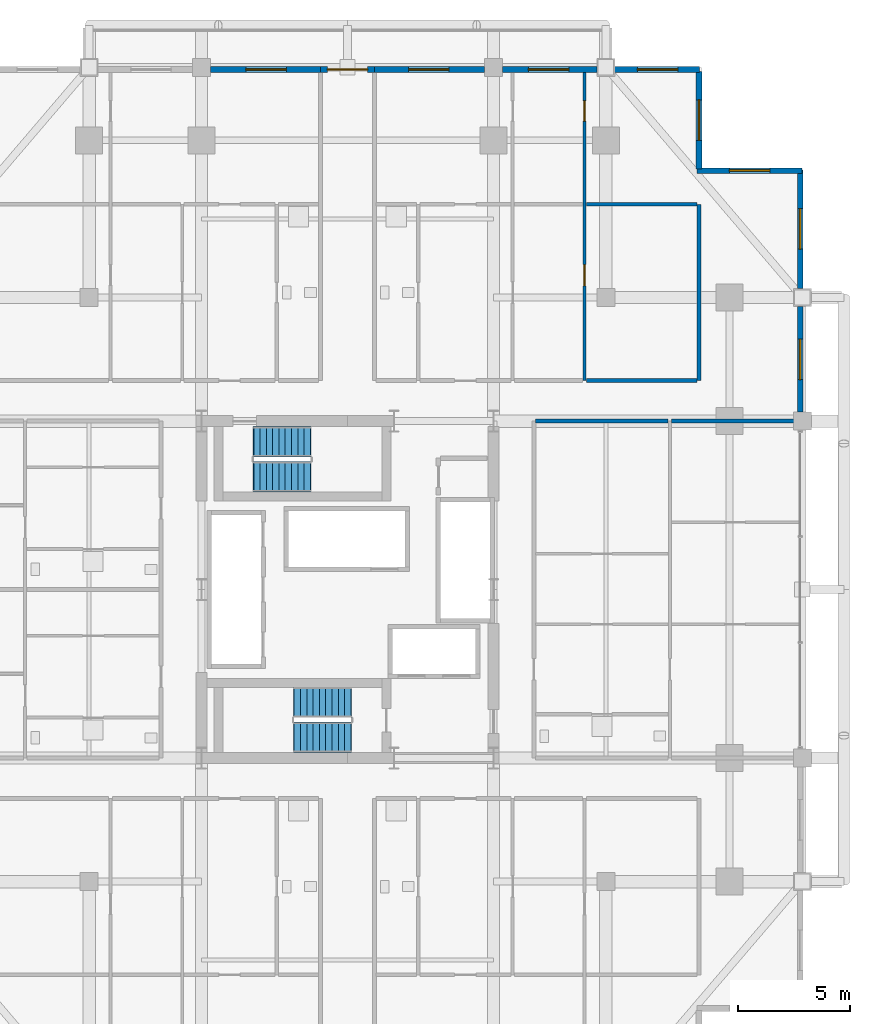
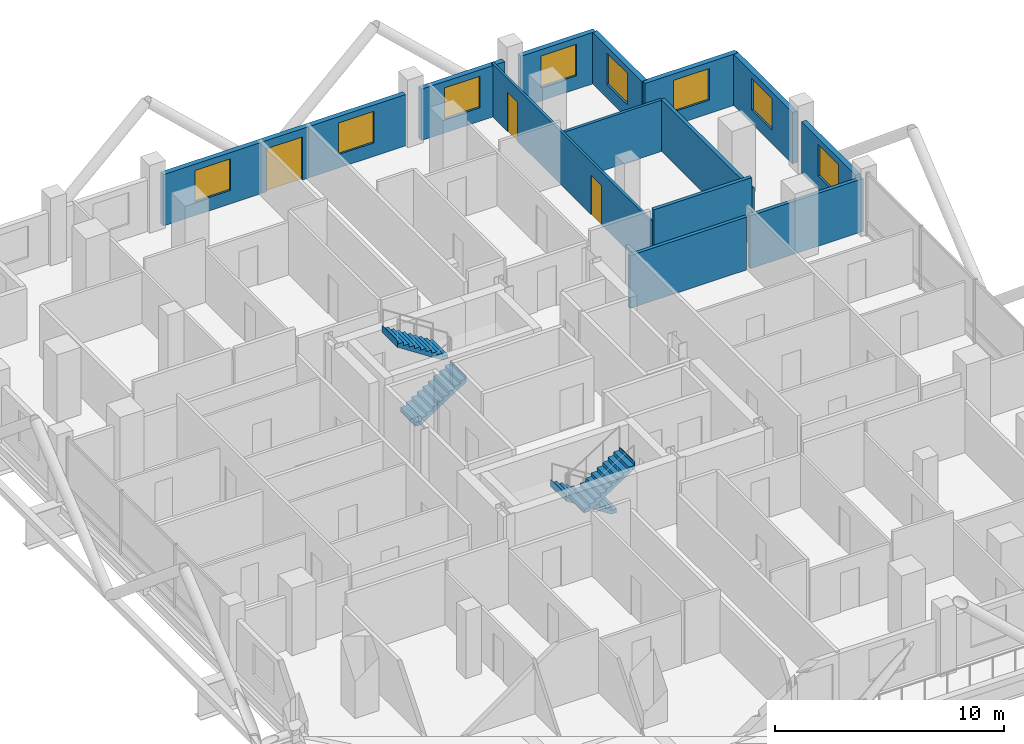
# One storey, part 18 of 21: 15 walls, 8 windows, 4 stair flights, 3 doors, 11 openings, 2 elements without a shape of their own.
"""IFC4 building model written with IfcOpenShell, lengths in metres."""

import ifcopenshell
import ifcopenshell.guid

model = None  # the IFC model being written
_history = None  # IfcOwnerHistory: only IFC2X3 demands one
_inside = {}  # id of a spatial element -> (the spatial element, [elements in it])
_under = {}  # id of a project, library or spatial element -> (it, [spatial elements below it])
_declared = {}  # id of a project -> (the project, [libraries it declares])
_typed = {}  # id of a type object -> (the type object, [elements of that type])
_made_of = {}  # id of a material, layer set ... -> (it, [elements and type objects made of it])


def new_model(schema):
    """Start an empty IFC model of exactly this schema.

    Asked for "IFC4X3", IfcOpenShell would pick the latest addendum, in which some entities
    have other attributes; the version numbers below select the first issue.
    IFC2X3 requires an IfcOwnerHistory on every rooted entity: one is made here for all.
    """
    global model, _history
    if schema == "IFC4X3":
        model = ifcopenshell.file(schema_version=(4, 3, 0, 0))
    else:
        model = ifcopenshell.file(schema=schema)
    _inside.clear()
    _under.clear()
    _declared.clear()
    _typed.clear()
    _made_of.clear()
    _history = None
    if model.schema == "IFC2X3":
        org = make("IfcOrganization", Name="unknown")
        user = make(
            "IfcPersonAndOrganization",
            ThePerson=make("IfcPerson", FamilyName="unknown"),
            TheOrganization=org,
        )
        app = make(
            "IfcApplication",
            ApplicationDeveloper=org,
            Version="unknown",
            ApplicationFullName="unknown",
            ApplicationIdentifier="unknown",
        )
        _history = make(
            "IfcOwnerHistory",
            OwningUser=user,
            OwningApplication=app,
            ChangeAction="ADDED",
            CreationDate=0,
        )
    return model


def make(cls, **values):
    """One entity of the class cls with the attributes given. An attribute that is None is left unset."""
    return model.create_entity(
        cls, **{name: value for name, value in values.items() if value is not None}
    )


def rooted(cls, **values):
    """An entity with a GlobalId (a new one), such as an element, a storey or a relation."""
    return make(cls, GlobalId=ifcopenshell.guid.new(), OwnerHistory=_history, **values)


def si_unit(unit_type, name, prefix=None):
    """IfcSIUnit, for example si_unit("LENGTHUNIT", "METRE", prefix="MILLI")."""
    return make("IfcSIUnit", UnitType=unit_type, Prefix=prefix, Name=name)


def assignment(units):
    """IfcUnitAssignment: the units of a project."""
    return None if units is None else make("IfcUnitAssignment", Units=units)


def point(xyz):
    """IfcCartesianPoint."""
    return None if xyz is None else make("IfcCartesianPoint", Coordinates=xyz)


def direction(xyz):
    """IfcDirection."""
    return None if xyz is None else make("IfcDirection", DirectionRatios=xyz)


def frame(location, z_axis=None, x_axis=None):
    """IfcAxis2Placement3D, a coordinate frame: its origin and axes. An axis left out is left unset."""
    return make(
        "IfcAxis2Placement3D",
        Location=point(location),
        Axis=direction(z_axis),
        RefDirection=direction(x_axis),
    )


def frame_2d(location, x_axis=None):
    """IfcAxis2Placement2D, a coordinate frame in the plane: its origin and x axis."""
    return make(
        "IfcAxis2Placement2D", Location=point(location), RefDirection=direction(x_axis)
    )


def origin():
    """The frame at (0, 0, 0) with its axes left unset."""
    return frame((0.0, 0.0, 0.0))


def place(relative_to, where):
    """IfcLocalPlacement: puts the frame where relative to a parent placement (None: the world)."""
    return make(
        "IfcLocalPlacement", PlacementRelTo=relative_to, RelativePlacement=where
    )


def context(
    kind, dimensions, precision=None, world=None, true_north=None, identifier=None
):
    """IfcGeometricRepresentationContext, for example the 3D "Model" context."""
    return make(
        "IfcGeometricRepresentationContext",
        ContextIdentifier=identifier,
        ContextType=kind,
        CoordinateSpaceDimension=dimensions,
        Precision=precision,
        WorldCoordinateSystem=world,
        TrueNorth=true_north,
    )


def subcontext(parent, identifier, kind, view, scale=None):
    """IfcGeometricRepresentationSubContext, for example "Body" below "Model"."""
    return make(
        "IfcGeometricRepresentationSubContext",
        ContextIdentifier=identifier,
        ContextType=kind,
        ParentContext=parent,
        TargetScale=scale,
        TargetView=view,
    )


def project(units=None, contexts=None):
    """IfcProject with its units and contexts."""
    return rooted(
        "IfcProject",
        Name="project",
        RepresentationContexts=contexts,
        UnitsInContext=assignment(units),
    )


def spatial(cls, under=None, at=None, **own):
    """A site, building, storey or space (cls), placed at a placement, below another one or the project."""
    s = rooted(cls, ObjectPlacement=at, **own)
    if under is not None:
        _under.setdefault(under.id(), (under, []))[1].append(s)
    return s


def polyline(points):
    """IfcPolyline through the points."""
    return make("IfcPolyline", Points=[point(p) for p in points])


def profile(cls, at=None, kind="AREA", **sizes):
    """A parametric profile (cls). Its sizes go by their IFC names, for example OverallWidth=200.0."""
    return make(cls, ProfileType=kind, Position=at, **sizes)


def rectangle(**sizes):
    """IfcRectangleProfileDef."""
    return profile("IfcRectangleProfileDef", **sizes)


def outline(outer, holes=None, kind="AREA"):
    """IfcArbitraryClosedProfileDef: a profile drawn as a closed curve; with holes, ...WithVoids."""
    if holes is None:
        return make("IfcArbitraryClosedProfileDef", ProfileType=kind, OuterCurve=outer)
    return make(
        "IfcArbitraryProfileDefWithVoids",
        ProfileType=kind,
        OuterCurve=outer,
        InnerCurves=holes,
    )


def extrude(swept, where, along, depth):
    """IfcExtrudedAreaSolid: the profile swept, set in the frame where, extruded along a direction by depth."""
    return make(
        "IfcExtrudedAreaSolid",
        SweptArea=swept,
        Position=where,
        ExtrudedDirection=direction(along),
        Depth=depth,
    )


def shape(context_of_items, identifier, shape_type, items):
    """IfcShapeRepresentation: the items that make up one representation, for example the "Body"."""
    return make(
        "IfcShapeRepresentation",
        ContextOfItems=context_of_items,
        RepresentationIdentifier=identifier,
        RepresentationType=shape_type,
        Items=items,
    )


def material(Name=None, Category=None):
    """IfcMaterial."""
    return make("IfcMaterial", Name=Name, Category=Category)


def layer(
    of_material, thickness, ventilated=None, Name=None, Category=None, Priority=None
):
    """IfcMaterialLayer: one layer of a wall or slab, of a material (None: an air gap)."""
    return make(
        "IfcMaterialLayer",
        Material=of_material,
        LayerThickness=thickness,
        IsVentilated=ventilated,
        Name=Name,
        Category=Category,
        Priority=Priority,
    )


def layer_set(layers, Name=None):
    """IfcMaterialLayerSet."""
    return make("IfcMaterialLayerSet", MaterialLayers=layers, LayerSetName=Name)


def made_of(thing, what):
    """Note that an element or type object is made of a material, layer set ...; save() writes the relation."""
    if what is not None:
        _made_of.setdefault(what.id(), (what, []))[1].append(thing)
    return thing


def type_object(cls, material=None, **own):
    """A type object (cls), such as IfcWallType, which elements share."""
    return made_of(rooted(cls, **own), material)


def element(
    cls,
    number,
    at=None,
    inside=None,
    cuts=None,
    type_object=None,
    material=None,
    context=None,
    identifier="Body",
    shape_type=None,
    held_by="IfcProductDefinitionShape",
    body=None,
    shapes=None,
    **own,
):
    """One element of the class cls, such as IfcWall. Its Tag is "e" and its number.

    at: its placement. inside: the storey or other place that contains it. cuts: it is an
    opening in that element (IfcRelVoidsElement). A single representation is given by context,
    identifier, shape_type and body (its items); several are given by shapes. held_by: the class
    of the entity that holds the representations. save() writes the other relations.
    """
    e = rooted(cls, Tag="e%d" % number, ObjectPlacement=at, **own)
    if body is not None:
        shapes = [shape(context, identifier, shape_type, body)]
    if shapes is not None:
        e.Representation = make(held_by, Representations=shapes)
    if inside is not None:
        _inside.setdefault(inside.id(), (inside, []))[1].append(e)
    if cuts is not None:
        rooted(
            "IfcRelVoidsElement", RelatingBuildingElement=cuts, RelatedOpeningElement=e
        )
    if type_object is not None:
        _typed.setdefault(type_object.id(), (type_object, []))[1].append(e)
    return made_of(e, material)


def fill(opening, filler):
    """IfcRelFillsElement: the door or window that sits in an opening."""
    return rooted(
        "IfcRelFillsElement",
        RelatingOpeningElement=opening,
        RelatedBuildingElement=filler,
    )


def aggregate(whole, parts):
    """IfcRelAggregates: a whole, such as a stair, and the parts it consists of."""
    return rooted("IfcRelAggregates", RelatingObject=whole, RelatedObjects=parts)


def save(model, path):
    """Write the relations noted so far, then the file.

    IfcRelAggregates (storeys below a building ...), IfcRelContainedInSpatialStructure (elements
    in a storey), IfcRelDefinesByType, IfcRelAssociatesMaterial and IfcRelDeclares: one each for
    every whole, place, type object, material and project.
    """
    for whole, parts in _under.values():
        aggregate(whole, parts)
    for where, things in _inside.values():
        rooted(
            "IfcRelContainedInSpatialStructure",
            RelatedElements=things,
            RelatingStructure=where,
        )
    for kind, things in _typed.values():
        rooted("IfcRelDefinesByType", RelatedObjects=things, RelatingType=kind)
    for what, things in _made_of.values():
        rooted("IfcRelAssociatesMaterial", RelatedObjects=things, RelatingMaterial=what)
    for by, libraries in _declared.values():
        rooted("IfcRelDeclares", RelatingContext=by, RelatedDefinitions=libraries)
    model.write(path)


model = new_model("IFC4")

# Units and contexts
model_context = context("Model", 3, precision=1e-05, world=origin(), true_north=direction((0.0, 1.0)))
body_context = subcontext(model_context, "Body", "Model", "MODEL_VIEW")
ifc_project = project(units=[si_unit("LENGTHUNIT", "METRE"), si_unit("AREAUNIT", "SQUARE_METRE"), si_unit("VOLUMEUNIT", "CUBIC_METRE"), si_unit("PLANEANGLEUNIT", "RADIAN"), si_unit("MASSUNIT", "GRAM", prefix="KILO")], contexts=[model_context])

# Site, building, storey
site_placement = place(None, origin())
site = spatial("IfcSite", under=ifc_project, at=site_placement, CompositionType="ELEMENT")
building_placement = place(site_placement, origin())
building = spatial("IfcBuilding", under=site, at=building_placement, Name="Barlavira Tower and Art Museum", CompositionType="ELEMENT")
storey_placement = place(building_placement, frame((0.0, 0.0, 99.0)))
storey = spatial("IfcBuildingStorey", under=building, at=storey_placement, Name="L24", CompositionType="ELEMENT", Elevation=99.0)

# Wall, openings, doors
ifc_material_1 = material(Name="Gypsum acoustic stud partition", Category="gypsum")
ifc_layer_1 = layer(ifc_material_1, 0.1201171875, Name="Gypsum acoustic stud partition")
ifc_layer_set_1 = layer_set([ifc_layer_1], Name="Gypsum acoustic stud partition")
wall_type_1 = type_object("IfcWallType", Name="Apartment Internal Acoustic Partition 120", PredefinedType="PARTITIONING", material=ifc_layer_set_1)
wall_1_placement = place(storey_placement, frame((10.550048828125, 9.300048828125, 0.0), z_axis=(0.0, 0.0, 1.0), x_axis=(0.0, 1.0, 0.0)))
wall_1 = element("IfcWall", 1, at=wall_1_placement, inside=storey, type_object=wall_type_1, Name="L24 Partition Wall 22", PredefinedType="PARTITIONING", context=body_context, shape_type="SweptSolid", body=[
    extrude(rectangle(XDim=13.849853515625, YDim=0.1201171875, at=frame_2d((6.9248046875, 0.0))), origin(), (0.0, 0.0, 1.0), 2.81591796875),
])
opening_1_placement = place(wall_1_placement, frame((4.218505859375, 0.0, 0.0)))
opening_1 = element("IfcOpeningElement", 2, at=opening_1_placement, cuts=wall_1, Name="Opening D-02", PredefinedType="OPENING", context=body_context, shape_type="SweptSolid", body=[
    extrude(rectangle(XDim=0.949951171875, YDim=2.10009765625, at=frame_2d((0.47509765625, 1.050048828125))), frame((0.0, 0.070068359375, 0.0), z_axis=(0.0, -1.0, 0.0), x_axis=(1.0, 0.0, 0.0)), (0.0, 0.0, 1.0), 0.14013671875),
])
opening_2_placement = place(wall_1_placement, frame((11.551025390625, 0.0, 0.0)))
opening_2 = element("IfcOpeningElement", 3, at=opening_2_placement, cuts=wall_1, Name="Opening D-01", PredefinedType="OPENING", context=body_context, shape_type="SweptSolid", body=[
    extrude(rectangle(XDim=0.89990234375, YDim=2.10009765625, at=frame_2d((0.449951171875, 1.050048828125))), frame((0.0, 0.070068359375, 0.0), z_axis=(0.0, -1.0, 0.0), x_axis=(1.0, 0.0, 0.0)), (0.0, 0.0, 1.0), 0.14013671875),
])
ifc_material_2 = material(Name="Engineered coastal hardwood", Category="wood")
door_type_1 = type_object("IfcDoorType", Name="Internal Bedroom Timber Flush Door 900x2100", OperationType="NOTDEFINED", PredefinedType="DOOR", material=ifc_material_2)
door_1_placement = place(opening_2_placement, origin())
door_1 = element("IfcDoor", 4, at=door_1_placement, inside=storey, type_object=door_type_1, Name="Apartment NE1 Bedroom 2 Door", OperationType="SINGLE_SWING_RIGHT", OverallHeight=2.10009765625, OverallWidth=0.89990234375, PredefinedType="DOOR", context=body_context, shape_type="SweptSolid", body=[
    extrude(rectangle(XDim=0.89990234375, YDim=2.10009765625, at=frame_2d((0.449951171875, 1.050048828125))), frame((0.0, 0.02490234375, 0.0), z_axis=(0.0, -1.0, 0.0), x_axis=(1.0, 0.0, 0.0)), (0.0, 0.0, 1.0), 0.050048828125),
])
fill(opening_2, door_1)
door_type_2 = type_object("IfcDoorType", Name="Living and Salon Glazed-Leaf Door 950x2100", OperationType="NOTDEFINED", PredefinedType="DOOR", material=ifc_material_2)
door_2_placement = place(opening_1_placement, origin())
door_2 = element("IfcDoor", 5, at=door_2_placement, inside=storey, type_object=door_type_2, Name="Apartment NE1 Dining Salon Door", OperationType="SINGLE_SWING_LEFT", OverallHeight=2.10009765625, OverallWidth=0.949951171875, PredefinedType="DOOR", context=body_context, shape_type="SweptSolid", body=[
    extrude(rectangle(XDim=0.949951171875, YDim=2.10009765625, at=frame_2d((0.47509765625, 1.050048828125))), frame((0.0, 0.02490234375, 0.0), z_axis=(0.0, -1.0, 0.0), x_axis=(1.0, 0.0, 0.0)), (0.0, 0.0, 1.0), 0.050048828125),
])
fill(opening_1, door_2)

# Walls
ifc_layer_2 = layer(ifc_material_1, 0.179931640625, Name="Gypsum acoustic stud partition")
ifc_layer_set_2 = layer_set([ifc_layer_2], Name="Gypsum acoustic stud partition")
wall_type_2 = type_object("IfcWallType", Name="Inter-Tenancy Party Partition Wall 180", PredefinedType="PARTITIONING", material=ifc_layer_set_2)
wall_2_placement = place(storey_placement, frame((15.64990234375, 9.300048828125, 0.0), z_axis=(0.0, 0.0, 1.0), x_axis=(0.0, 1.0, 0.0)))
element("IfcWall", 6, at=wall_2_placement, inside=storey, type_object=wall_type_2, Name="L24 Partition Wall 25", PredefinedType="PARTITIONING", context=body_context, shape_type="SweptSolid", body=[
    extrude(rectangle(XDim=7.849853515625, YDim=0.179931640625, at=frame_2d((3.9248046875, 0.0))), origin(), (0.0, 0.0, 1.0), 2.736083984375),
])
wall_3_placement = place(storey_placement, frame((8.3798828125, 7.5, 0.0), z_axis=(0.0, 0.0, 1.0), x_axis=(1.0, 0.0, 0.0)))
element("IfcWall", 7, at=wall_3_placement, inside=storey, type_object=wall_type_2, Name="L24 Partition Wall 62", PredefinedType="PARTITIONING", context=body_context, shape_type="SweptSolid", body=[
    extrude(rectangle(XDim=5.89013671875, YDim=0.179931640625, at=frame_2d((2.945068359375, 0.0))), origin(), (0.0, 0.0, 1.0), 2.81591796875),
])
wall_4_placement = place(storey_placement, frame((14.429931640625, 7.5, 0.0), z_axis=(0.0, 0.0, 1.0), x_axis=(1.0, 0.0, 0.0)))
element("IfcWall", 8, at=wall_4_placement, inside=storey, type_object=wall_type_2, Name="L24 Partition Wall 63", PredefinedType="PARTITIONING", context=body_context, shape_type="SweptSolid", body=[
    extrude(rectangle(XDim=5.719970703125, YDim=0.179931640625, at=frame_2d((2.85986328125, 0.0))), origin(), (0.0, 0.0, 1.0), 2.81591796875),
])
wall_5_placement = place(storey_placement, frame((10.6298828125, 9.300048828125, 0.0), z_axis=(0.0, 0.0, 1.0), x_axis=(1.0, 0.0, 0.0)))
element("IfcWall", 9, at=wall_5_placement, inside=storey, type_object=wall_type_2, Name="L24 Partition Wall 71", PredefinedType="PARTITIONING", context=body_context, shape_type="SweptSolid", body=[
    extrude(rectangle(XDim=4.940185546875, YDim=0.179931640625, at=frame_2d((2.47021484375, 0.0))), origin(), (0.0, 0.0, 1.0), 3.3798828125),
])
ifc_layer_3 = layer(ifc_material_1, 0.139892578125, Name="Gypsum acoustic stud partition")
ifc_layer_set_3 = layer_set([ifc_layer_3], Name="Gypsum acoustic stud partition")
wall_type_3 = type_object("IfcWallType", Name="Moisture-Resistant Bathroom Partition 140", PredefinedType="PARTITIONING", material=ifc_layer_set_3)
wall_6_placement = place(storey_placement, frame((10.6298828125, 17.14990234375, 0.0), z_axis=(0.0, 0.0, 1.0), x_axis=(1.0, 0.0, 0.0)))
element("IfcWall", 10, at=wall_6_placement, inside=storey, type_object=wall_type_3, Name="L24 Partition Wall 79", PredefinedType="PARTITIONING", context=body_context, shape_type="SweptSolid", body=[
    extrude(rectangle(XDim=4.940185546875, YDim=0.139892578125, at=frame_2d((2.47021484375, 0.0))), origin(), (0.0, 0.0, 1.0), 2.736083984375),
])

# Wall, opening, window
ifc_material_3 = material(Name="Precast concrete C40", Category="concrete")
ifc_layer_4 = layer(ifc_material_3, 0.25, Name="Precast concrete C40")
ifc_layer_set_4 = layer_set([ifc_layer_4], Name="Precast concrete C40")
wall_type_4 = type_object("IfcWallType", Name="Notched Corner Spandrel Wall 250 Precast Concrete C40", PredefinedType="SOLIDWALL", material=ifc_layer_set_4)
wall_7_placement = place(storey_placement, frame((15.675048828125, 23.14990234375, 0.0), z_axis=(0.0, 0.0, 1.0), x_axis=(-1.0, 0.0, 0.0)))
wall_7 = element("IfcWall", 11, at=wall_7_placement, inside=storey, type_object=wall_type_4, Name="L24 Coastal Facade Pier Wall CW2-L24-NR-1", PredefinedType="SOLIDWALL", context=body_context, shape_type="SweptSolid", body=[
    extrude(rectangle(XDim=3.780029296875, YDim=0.25, at=frame_2d((1.89013671875, 0.0))), origin(), (0.0, 0.0, 1.0), 2.736083984375),
])
opening_3_placement = place(wall_7_placement, frame((0.968017578125, 0.0, 0.719970703125)))
opening_3 = element("IfcOpeningElement", 12, at=opening_3_placement, cuts=wall_7, Name="Opening WN-01", PredefinedType="OPENING", context=body_context, shape_type="SweptSolid", body=[
    extrude(rectangle(XDim=1.800048828125, YDim=1.679931640625, at=frame_2d((0.89990234375, 0.83984375))), frame((0.0, 0.135009765625, 0.0), z_axis=(0.0, -1.0, 0.0), x_axis=(1.0, 0.0, 0.0)), (0.0, 0.0, 1.0), 0.27001953125),
])
ifc_material_4 = material(Name="Low-iron coastal laminated glass", Category="glass")
window_type = type_object("IfcWindowType", Name="Recessed Notch Corner Punch Window 1800x1680", PartitioningType="SINGLE_PANEL", PredefinedType="WINDOW", material=ifc_material_4)
window_1_placement = place(opening_3_placement, origin())
window_1 = element("IfcWindow", 13, at=window_1_placement, inside=storey, type_object=window_type, Name="L24 Punched Facade Window EWP-CW2-L24-NR-1-1", OverallHeight=1.679931640625, OverallWidth=1.800048828125, PartitioningType="SINGLE_PANEL", PredefinedType="WINDOW", context=body_context, shape_type="SweptSolid", body=[
    extrude(rectangle(XDim=1.800048828125, YDim=1.679931640625, at=frame_2d((0.89990234375, 0.83984375))), frame((0.0, 0.030029296875, 0.0), z_axis=(0.0, -1.0, 0.0), x_axis=(1.0, 0.0, 0.0)), (0.0, 0.0, 1.0), 0.06005859375),
])
fill(opening_3, window_1)

wall_8_placement = place(storey_placement, frame((11.10498046875, 23.14990234375, 0.0), z_axis=(0.0, 0.0, 1.0), x_axis=(-1.0, 0.0, 0.0)))
wall_8 = element("IfcWall", 14, at=wall_8_placement, inside=storey, type_object=wall_type_4, Name="L24 Coastal Facade Pier Wall CW2-L24-NR-2", PredefinedType="SOLIDWALL", context=body_context, shape_type="SweptSolid", body=[
    extrude(rectangle(XDim=4.2099609375, YDim=0.25, at=frame_2d((2.10498046875, 0.0))), origin(), (0.0, 0.0, 1.0), 2.736083984375),
])
opening_4_placement = place(wall_8_placement, frame((1.2548828125, 0.0, 0.719970703125)))
opening_4 = element("IfcOpeningElement", 15, at=opening_4_placement, cuts=wall_8, Name="Opening WN-01", PredefinedType="OPENING", context=body_context, shape_type="SweptSolid", body=[
    extrude(rectangle(XDim=1.800048828125, YDim=1.679931640625, at=frame_2d((0.89990234375, 0.83984375))), frame((0.0, 0.135009765625, 0.0), z_axis=(0.0, -1.0, 0.0), x_axis=(1.0, 0.0, 0.0)), (0.0, 0.0, 1.0), 0.27001953125),
])
window_2_placement = place(opening_4_placement, origin())
window_2 = element("IfcWindow", 16, at=window_2_placement, inside=storey, type_object=window_type, Name="L24 Punched Facade Window EWP-CW2-L24-NR-2-1", OverallHeight=1.679931640625, OverallWidth=1.800048828125, PartitioningType="SINGLE_PANEL", PredefinedType="WINDOW", context=body_context, shape_type="SweptSolid", body=[
    extrude(rectangle(XDim=1.800048828125, YDim=1.679931640625, at=frame_2d((0.89990234375, 0.83984375))), frame((0.0, 0.030029296875, 0.0), z_axis=(0.0, -1.0, 0.0), x_axis=(1.0, 0.0, 0.0)), (0.0, 0.0, 1.0), 0.06005859375),
])
fill(opening_4, window_2)

wall_9_placement = place(storey_placement, frame((6.10498046875, 23.14990234375, 0.0), z_axis=(0.0, 0.0, 1.0), x_axis=(-1.0, 0.0, 0.0)))
wall_9 = element("IfcWall", 17, at=wall_9_placement, inside=storey, type_object=wall_type_4, Name="L24 Coastal Facade Pier Wall CW2-L24-NR-3", PredefinedType="SOLIDWALL", context=body_context, shape_type="SweptSolid", body=[
    extrude(rectangle(XDim=4.929931640625, YDim=0.25, at=frame_2d((2.46484375, 0.0))), origin(), (0.0, 0.0, 1.0), 2.736083984375),
])
opening_5_placement = place(wall_9_placement, frame((1.587890625, 0.0, 0.719970703125)))
opening_5 = element("IfcOpeningElement", 18, at=opening_5_placement, cuts=wall_9, Name="Opening WN-01", PredefinedType="OPENING", context=body_context, shape_type="SweptSolid", body=[
    extrude(rectangle(XDim=1.800048828125, YDim=1.679931640625, at=frame_2d((0.89990234375, 0.83984375))), frame((0.0, 0.135009765625, 0.0), z_axis=(0.0, -1.0, 0.0), x_axis=(1.0, 0.0, 0.0)), (0.0, 0.0, 1.0), 0.27001953125),
])
window_3_placement = place(opening_5_placement, origin())
window_3 = element("IfcWindow", 19, at=window_3_placement, inside=storey, type_object=window_type, Name="L24 Punched Facade Window EWP-CW2-L24-NR-3-1", OverallHeight=1.679931640625, OverallWidth=1.800048828125, PartitioningType="SINGLE_PANEL", PredefinedType="WINDOW", context=body_context, shape_type="SweptSolid", body=[
    extrude(rectangle(XDim=1.800048828125, YDim=1.679931640625, at=frame_2d((0.89990234375, 0.83984375))), frame((0.0, 0.030029296875, 0.0), z_axis=(0.0, -1.0, 0.0), x_axis=(1.0, 0.0, 0.0)), (0.0, 0.0, 1.0), 0.06005859375),
])
fill(opening_5, window_3)

wall_10_placement = place(storey_placement, frame((-1.175048828125, 23.14990234375, 0.0), z_axis=(0.0, 0.0, 1.0), x_axis=(-1.0, 0.0, 0.0)))
wall_10 = element("IfcWall", 20, at=wall_10_placement, inside=storey, type_object=wall_type_4, Name="L24 Coastal Facade Pier Wall CW2-L24-NL-1", PredefinedType="SOLIDWALL", context=body_context, shape_type="SweptSolid", body=[
    extrude(rectangle(XDim=4.929931640625, YDim=0.25, at=frame_2d((2.46484375, 0.0))), origin(), (0.0, 0.0, 1.0), 2.736083984375),
])
opening_6_placement = place(wall_10_placement, frame((1.54296875, 0.0, 0.719970703125)))
opening_6 = element("IfcOpeningElement", 21, at=opening_6_placement, cuts=wall_10, Name="Opening WN-01", PredefinedType="OPENING", context=body_context, shape_type="SweptSolid", body=[
    extrude(rectangle(XDim=1.800048828125, YDim=1.679931640625, at=frame_2d((0.89990234375, 0.83984375))), frame((0.0, 0.135009765625, 0.0), z_axis=(0.0, -1.0, 0.0), x_axis=(1.0, 0.0, 0.0)), (0.0, 0.0, 1.0), 0.27001953125),
])
window_4_placement = place(opening_6_placement, origin())
window_4 = element("IfcWindow", 22, at=window_4_placement, inside=storey, type_object=window_type, Name="L24 Punched Facade Window EWP-CW2-L24-NL-1-1", OverallHeight=1.679931640625, OverallWidth=1.800048828125, PartitioningType="SINGLE_PANEL", PredefinedType="WINDOW", context=body_context, shape_type="SweptSolid", body=[
    extrude(rectangle(XDim=1.800048828125, YDim=1.679931640625, at=frame_2d((0.89990234375, 0.83984375))), frame((0.0, 0.030029296875, 0.0), z_axis=(0.0, -1.0, 0.0), x_axis=(1.0, 0.0, 0.0)), (0.0, 0.0, 1.0), 0.06005859375),
])
fill(opening_6, window_4)

# Wall, opening, door
wall_11_placement = place(storey_placement, frame((-1.199951171875, 23.14990234375, 0.0), z_axis=(0.0, 0.0, 1.0), x_axis=(1.0, 0.0, 0.0)))
wall_11 = element("IfcWall", 23, at=wall_11_placement, inside=storey, type_object=wall_type_4, Name="L24 North Setback Terrace Door Wall", PredefinedType="SOLIDWALL", context=body_context, shape_type="SweptSolid", body=[
    extrude(rectangle(XDim=2.39990234375, YDim=0.25, at=frame_2d((1.199951171875, 0.0))), origin(), (0.0, 0.0, 1.0), 2.736083984375),
])
opening_7_placement = place(wall_11_placement, frame((0.300048828125, 0.0, 0.0)))
opening_7 = element("IfcOpeningElement", 24, at=opening_7_placement, cuts=wall_11, Name="Opening ED-03", PredefinedType="OPENING", context=body_context, shape_type="SweptSolid", body=[
    extrude(rectangle(XDim=1.800048828125, YDim=2.300048828125, at=frame_2d((0.89990234375, 1.14990234375))), frame((0.0, 0.135009765625, 0.0), z_axis=(0.0, -1.0, 0.0), x_axis=(1.0, 0.0, 0.0)), (0.0, 0.0, 1.0), 0.27001953125),
])
ifc_material_5 = material(Name="Pale anodised aluminium", Category="aluminium")
door_type_3 = type_object("IfcDoorType", Name="Terrace and Observation Deck Glazed Door 1800x2300", OperationType="NOTDEFINED", PredefinedType="DOOR", material=ifc_material_5)
door_3_placement = place(opening_7_placement, origin())
door_3 = element("IfcDoor", 25, at=door_3_placement, inside=storey, type_object=door_type_3, Name="L24 North Setback Terrace Access Door", OperationType="DOUBLE_DOOR_SINGLE_SWING", OverallHeight=2.300048828125, OverallWidth=1.800048828125, PredefinedType="DOOR", context=body_context, shape_type="SweptSolid", body=[
    extrude(rectangle(XDim=1.800048828125, YDim=2.300048828125, at=frame_2d((0.89990234375, 1.14990234375))), frame((0.0, 0.02490234375, 0.0), z_axis=(0.0, -1.0, 0.0), x_axis=(1.0, 0.0, 0.0)), (0.0, 0.0, 1.0), 0.050048828125),
])
fill(opening_7, door_3)

# Wall, opening, window
wall_12_placement = place(storey_placement, frame((20.14990234375, 7.89501953125, 0.0), z_axis=(0.0, 0.0, 1.0), x_axis=(0.0, 1.0, 0.0)))
wall_12 = element("IfcWall", 26, at=wall_12_placement, inside=storey, type_object=wall_type_4, Name="L24 Coastal Facade Pier Wall CW2-L24-E-4", PredefinedType="SOLIDWALL", context=body_context, shape_type="SweptSolid", body=[
    extrude(rectangle(XDim=4.7099609375, YDim=0.25, at=frame_2d((2.35498046875, 0.0))), origin(), (0.0, 0.0, 1.0), 2.736083984375),
])
opening_8_placement = place(wall_12_placement, frame((1.455078125, 0.0, 0.719970703125)))
opening_8 = element("IfcOpeningElement", 27, at=opening_8_placement, cuts=wall_12, Name="Opening WN-01", PredefinedType="OPENING", context=body_context, shape_type="SweptSolid", body=[
    extrude(rectangle(XDim=1.800048828125, YDim=1.679931640625, at=frame_2d((0.89990234375, 0.83984375))), frame((0.0, 0.135009765625, 0.0), z_axis=(0.0, -1.0, 0.0), x_axis=(1.0, 0.0, 0.0)), (0.0, 0.0, 1.0), 0.27001953125),
])
window_5_placement = place(opening_8_placement, origin())
window_5 = element("IfcWindow", 28, at=window_5_placement, inside=storey, type_object=window_type, Name="L24 Punched Facade Window EWP-CW2-L24-E-4-1", OverallHeight=1.679931640625, OverallWidth=1.800048828125, PartitioningType="SINGLE_PANEL", PredefinedType="WINDOW", context=body_context, shape_type="SweptSolid", body=[
    extrude(rectangle(XDim=1.800048828125, YDim=1.679931640625, at=frame_2d((0.89990234375, 0.83984375))), frame((0.0, 0.030029296875, 0.0), z_axis=(0.0, -1.0, 0.0), x_axis=(1.0, 0.0, 0.0)), (0.0, 0.0, 1.0), 0.06005859375),
])
fill(opening_8, window_5)

wall_13_placement = place(storey_placement, frame((20.14990234375, 13.39501953125, 0.0), z_axis=(0.0, 0.0, 1.0), x_axis=(0.0, 1.0, 0.0)))
wall_13 = element("IfcWall", 29, at=wall_13_placement, inside=storey, type_object=wall_type_4, Name="L24 Coastal Facade Pier Wall CW2-L24-E-5", PredefinedType="SOLIDWALL", context=body_context, shape_type="SweptSolid", body=[
    extrude(rectangle(XDim=5.280029296875, YDim=0.25, at=frame_2d((2.64013671875, 0.0))), origin(), (0.0, 0.0, 1.0), 2.736083984375),
])
opening_9_placement = place(wall_13_placement, frame((1.762939453125, 0.0, 0.719970703125)))
opening_9 = element("IfcOpeningElement", 30, at=opening_9_placement, cuts=wall_13, Name="Opening WN-01", PredefinedType="OPENING", context=body_context, shape_type="SweptSolid", body=[
    extrude(rectangle(XDim=1.800048828125, YDim=1.679931640625, at=frame_2d((0.89990234375, 0.83984375))), frame((0.0, 0.135009765625, 0.0), z_axis=(0.0, -1.0, 0.0), x_axis=(1.0, 0.0, 0.0)), (0.0, 0.0, 1.0), 0.27001953125),
])
window_6_placement = place(opening_9_placement, origin())
window_6 = element("IfcWindow", 31, at=window_6_placement, inside=storey, type_object=window_type, Name="L24 Punched Facade Window EWP-CW2-L24-E-5-1", OverallHeight=1.679931640625, OverallWidth=1.800048828125, PartitioningType="SINGLE_PANEL", PredefinedType="WINDOW", context=body_context, shape_type="SweptSolid", body=[
    extrude(rectangle(XDim=1.800048828125, YDim=1.679931640625, at=frame_2d((0.89990234375, 0.83984375))), frame((0.0, 0.030029296875, 0.0), z_axis=(0.0, -1.0, 0.0), x_axis=(1.0, 0.0, 0.0)), (0.0, 0.0, 1.0), 0.06005859375),
])
fill(opening_9, window_6)

wall_14_placement = place(storey_placement, frame((20.22998046875, 18.64990234375, 0.0), z_axis=(0.0, 0.0, 1.0), x_axis=(-1.0, 0.0, 0.0)))
wall_14 = element("IfcWall", 32, at=wall_14_placement, inside=storey, type_object=wall_type_4, Name="L24 Notch Corner Wall NE1", PredefinedType="SOLIDWALL", context=body_context, shape_type="SweptSolid", body=[
    extrude(rectangle(XDim=4.659912109375, YDim=0.25, at=frame_2d((2.330078125, 0.0))), origin(), (0.0, 0.0, 1.0), 2.736083984375),
])
opening_10_placement = place(wall_14_placement, frame((1.429931640625, 0.0, 0.719970703125)))
opening_10 = element("IfcOpeningElement", 33, at=opening_10_placement, cuts=wall_14, Name="Opening WN-01", PredefinedType="OPENING", context=body_context, shape_type="SweptSolid", body=[
    extrude(rectangle(XDim=1.800048828125, YDim=1.679931640625, at=frame_2d((0.89990234375, 0.83984375))), frame((0.0, 0.135009765625, 0.0), z_axis=(0.0, -1.0, 0.0), x_axis=(1.0, 0.0, 0.0)), (0.0, 0.0, 1.0), 0.27001953125),
])
window_7_placement = place(opening_10_placement, origin())
window_7 = element("IfcWindow", 34, at=window_7_placement, inside=storey, type_object=window_type, Name="L24 Punched Facade Window EW-NTC-L24-NE1-1", OverallHeight=1.679931640625, OverallWidth=1.800048828125, PartitioningType="SINGLE_PANEL", PredefinedType="WINDOW", context=body_context, shape_type="SweptSolid", body=[
    extrude(rectangle(XDim=1.800048828125, YDim=1.679931640625, at=frame_2d((0.89990234375, 0.83984375))), frame((0.0, 0.030029296875, 0.0), z_axis=(0.0, -1.0, 0.0), x_axis=(1.0, 0.0, 0.0)), (0.0, 0.0, 1.0), 0.06005859375),
])
fill(opening_10, window_7)

wall_15_placement = place(storey_placement, frame((15.64990234375, 18.72998046875, 0.0), z_axis=(0.0, 0.0, 1.0), x_axis=(0.0, 1.0, 0.0)))
wall_15 = element("IfcWall", 35, at=wall_15_placement, inside=storey, type_object=wall_type_4, Name="L24 Notch Corner Wall NE2", PredefinedType="SOLIDWALL", context=body_context, shape_type="SweptSolid", body=[
    extrude(rectangle(XDim=4.340087890625, YDim=0.25, at=frame_2d((2.169921875, 0.0))), origin(), (0.0, 0.0, 1.0), 2.736083984375),
])
opening_11_placement = place(wall_15_placement, frame((1.27001953125, 0.0, 0.719970703125)))
opening_11 = element("IfcOpeningElement", 36, at=opening_11_placement, cuts=wall_15, Name="Opening WN-01", PredefinedType="OPENING", context=body_context, shape_type="SweptSolid", body=[
    extrude(rectangle(XDim=1.800048828125, YDim=1.679931640625, at=frame_2d((0.89990234375, 0.83984375))), frame((0.0, 0.135009765625, 0.0), z_axis=(0.0, -1.0, 0.0), x_axis=(1.0, 0.0, 0.0)), (0.0, 0.0, 1.0), 0.27001953125),
])
window_8_placement = place(opening_11_placement, origin())
window_8 = element("IfcWindow", 37, at=window_8_placement, inside=storey, type_object=window_type, Name="L24 Punched Facade Window EW-NTC-L24-NE2-1", OverallHeight=1.679931640625, OverallWidth=1.800048828125, PartitioningType="SINGLE_PANEL", PredefinedType="WINDOW", context=body_context, shape_type="SweptSolid", body=[
    extrude(rectangle(XDim=1.800048828125, YDim=1.679931640625, at=frame_2d((0.89990234375, 0.83984375))), frame((0.0, 0.030029296875, 0.0), z_axis=(0.0, -1.0, 0.0), x_axis=(1.0, 0.0, 0.0)), (0.0, 0.0, 1.0), 0.06005859375),
])
fill(opening_11, window_8)

# Stair, stair flights
ifc_material_6 = material(Name="Concrete C45", Category="concrete")
stair_type_1 = type_object("IfcStairType", Name="Tower North Dog-Leg Exit Stair Assembly Concrete C45", PredefinedType="TWO_QUARTER_TURN_STAIR", material=ifc_material_6)
stair_1_placement = place(storey_placement, origin())
stair_1 = element("IfcStair", 38, at=stair_1_placement, inside=storey, type_object=stair_type_1, Name="L24 Tower North Exit Stair ST-T2", PredefinedType="TWO_QUARTER_TURN_STAIR")
ifc_material_7 = material(Name="Precast concrete C45", Category="concrete")
stair_flight_type_1 = type_object("IfcStairFlightType", Name="Tower North Dog-Leg Exit Stair Precast Flight 1350 Concrete C45", PredefinedType="STRAIGHT", material=ifc_material_7)
stair_flight_1_placement = place(storey_placement, frame((-4.169921875, 5.02490234375, 0.0), z_axis=(0.0, 0.0, 1.0), x_axis=(1.0, 0.0, 0.0)))
stair_flight_1 = element("IfcStairFlight", 39, at=stair_flight_1_placement, type_object=stair_flight_type_1, Name="ST-T2 flight 1", NumberOfRisers=10, NumberOfTreads=9, PredefinedType="STRAIGHT", RiserHeight=0.18, TreadLength=0.28, context=body_context, shape_type="SweptSolid", body=[
    extrude(outline(polyline([(-0.02490234375, 0.0), (0.0, 0.0), (0.0, 0.179931640625), (0.280029296875, 0.179931640625), (0.280029296875, 0.360107421875), (0.56005859375, 0.360107421875), (0.56005859375, 0.5400390625), (0.840087890625, 0.5400390625), (0.840087890625, 0.719970703125), (1.1201171875, 0.719970703125), (1.1201171875, 0.89990234375), (1.39990234375, 0.89990234375), (1.39990234375, 1.080078125), (1.679931640625, 1.080078125), (1.679931640625, 1.260009765625), (1.9599609375, 1.260009765625), (1.9599609375, 1.43994140625), (2.239990234375, 1.43994140625), (2.239990234375, 1.6201171875), (2.52001953125, 1.6201171875), (2.52001953125, 1.800048828125), (2.544921875, 1.800048828125), (2.544921875, 1.44189453125), (2.52001953125, 1.44189453125), (0.277099609375, -0.02490234375), (-0.02490234375, -0.02490234375), (-0.02490234375, 0.0)])), frame((0.0, 0.675048828125, 0.0), z_axis=(0.0, -1.0, 0.0), x_axis=(1.0, 0.0, 0.0)), (0.0, 0.0, 1.0), 1.35009765625),
])
stair_flight_2_placement = place(storey_placement, frame((-1.64990234375, 6.574951171875, 1.800048828125), z_axis=(0.0, 0.0, 1.0), x_axis=(-1.0, 0.0, 0.0)))
stair_flight_2 = element("IfcStairFlight", 40, at=stair_flight_2_placement, type_object=stair_flight_type_1, Name="ST-T2 flight 2", NumberOfRisers=10, NumberOfTreads=9, PredefinedType="STRAIGHT", RiserHeight=0.18, TreadLength=0.28, context=body_context, shape_type="SweptSolid", body=[
    extrude(outline(polyline([(-0.02490234375, 0.0), (0.0, 0.0), (0.0, 0.179931640625), (0.280029296875, 0.179931640625), (0.280029296875, 0.360107421875), (0.56005859375, 0.360107421875), (0.56005859375, 0.5400390625), (0.840087890625, 0.5400390625), (0.840087890625, 0.719970703125), (1.1201171875, 0.719970703125), (1.1201171875, 0.89990234375), (1.39990234375, 0.89990234375), (1.39990234375, 1.080078125), (1.679931640625, 1.080078125), (1.679931640625, 1.260009765625), (1.9599609375, 1.260009765625), (1.9599609375, 1.43994140625), (2.239990234375, 1.43994140625), (2.239990234375, 1.6201171875), (2.52001953125, 1.6201171875), (2.52001953125, 1.800048828125), (2.544921875, 1.800048828125), (2.544921875, 1.44189453125), (2.52001953125, 1.44189453125), (0.277099609375, -0.02490234375), (-0.02490234375, -0.02490234375), (-0.02490234375, 0.0)])), frame((0.0, 0.675048828125, 0.0), z_axis=(0.0, -1.0, 0.0), x_axis=(1.0, 0.0, 0.0)), (0.0, 0.0, 1.0), 1.35009765625),
])
aggregate(stair_1, [stair_flight_1, stair_flight_2])

stair_type_2 = type_object("IfcStairType", Name="Tower South Dog-Leg Exit Stair Assembly Concrete C45", PredefinedType="TWO_QUARTER_TURN_STAIR", material=ifc_material_6)
stair_2_placement = place(storey_placement, origin())
stair_2 = element("IfcStair", 41, at=stair_2_placement, inside=storey, type_object=stair_type_2, Name="L24 Tower South Exit Stair ST-T1", PredefinedType="TWO_QUARTER_TURN_STAIR")
stair_flight_type_2 = type_object("IfcStairFlightType", Name="Tower South Dog-Leg Exit Stair Precast Flight 1350 Concrete C45", PredefinedType="STRAIGHT", material=ifc_material_7)
stair_flight_3_placement = place(storey_placement, frame((0.14990234375, -5.02490234375, 0.0), z_axis=(0.0, 0.0, 1.0), x_axis=(-1.0, 0.0, 0.0)))
stair_flight_3 = element("IfcStairFlight", 42, at=stair_flight_3_placement, type_object=stair_flight_type_2, Name="ST-T1 flight 1", NumberOfRisers=10, NumberOfTreads=9, PredefinedType="STRAIGHT", RiserHeight=0.18, TreadLength=0.28, context=body_context, shape_type="SweptSolid", body=[
    extrude(outline(polyline([(-0.02490234375, 0.0), (0.0, 0.0), (0.0, 0.179931640625), (0.280029296875, 0.179931640625), (0.280029296875, 0.360107421875), (0.56005859375, 0.360107421875), (0.56005859375, 0.5400390625), (0.840087890625, 0.5400390625), (0.840087890625, 0.719970703125), (1.1201171875, 0.719970703125), (1.1201171875, 0.89990234375), (1.39990234375, 0.89990234375), (1.39990234375, 1.080078125), (1.679931640625, 1.080078125), (1.679931640625, 1.260009765625), (1.9599609375, 1.260009765625), (1.9599609375, 1.43994140625), (2.239990234375, 1.43994140625), (2.239990234375, 1.6201171875), (2.52001953125, 1.6201171875), (2.52001953125, 1.800048828125), (2.544921875, 1.800048828125), (2.544921875, 1.44189453125), (2.52001953125, 1.44189453125), (0.277099609375, -0.02490234375), (-0.02490234375, -0.02490234375), (-0.02490234375, 0.0)])), frame((0.0, 0.675048828125, 0.0), z_axis=(0.0, -1.0, 0.0), x_axis=(1.0, 0.0, 0.0)), (0.0, 0.0, 1.0), 1.35009765625),
])
stair_flight_4_placement = place(storey_placement, frame((-2.3701171875, -6.574951171875, 1.800048828125), z_axis=(0.0, 0.0, 1.0), x_axis=(1.0, 0.0, 0.0)))
stair_flight_4 = element("IfcStairFlight", 43, at=stair_flight_4_placement, type_object=stair_flight_type_2, Name="ST-T1 flight 2", NumberOfRisers=10, NumberOfTreads=9, PredefinedType="STRAIGHT", RiserHeight=0.18, TreadLength=0.28, context=body_context, shape_type="SweptSolid", body=[
    extrude(outline(polyline([(-0.02490234375, 0.0), (0.0, 0.0), (0.0, 0.179931640625), (0.280029296875, 0.179931640625), (0.280029296875, 0.360107421875), (0.56005859375, 0.360107421875), (0.56005859375, 0.5400390625), (0.840087890625, 0.5400390625), (0.840087890625, 0.719970703125), (1.1201171875, 0.719970703125), (1.1201171875, 0.89990234375), (1.39990234375, 0.89990234375), (1.39990234375, 1.080078125), (1.679931640625, 1.080078125), (1.679931640625, 1.260009765625), (1.9599609375, 1.260009765625), (1.9599609375, 1.43994140625), (2.239990234375, 1.43994140625), (2.239990234375, 1.6201171875), (2.52001953125, 1.6201171875), (2.52001953125, 1.800048828125), (2.544921875, 1.800048828125), (2.544921875, 1.44189453125), (2.52001953125, 1.44189453125), (0.277099609375, -0.02490234375), (-0.02490234375, -0.02490234375), (-0.02490234375, 0.0)])), frame((0.0, 0.675048828125, 0.0), z_axis=(0.0, -1.0, 0.0), x_axis=(1.0, 0.0, 0.0)), (0.0, 0.0, 1.0), 1.35009765625),
])
aggregate(stair_2, [stair_flight_3, stair_flight_4])

save(model, "model.ifc")
